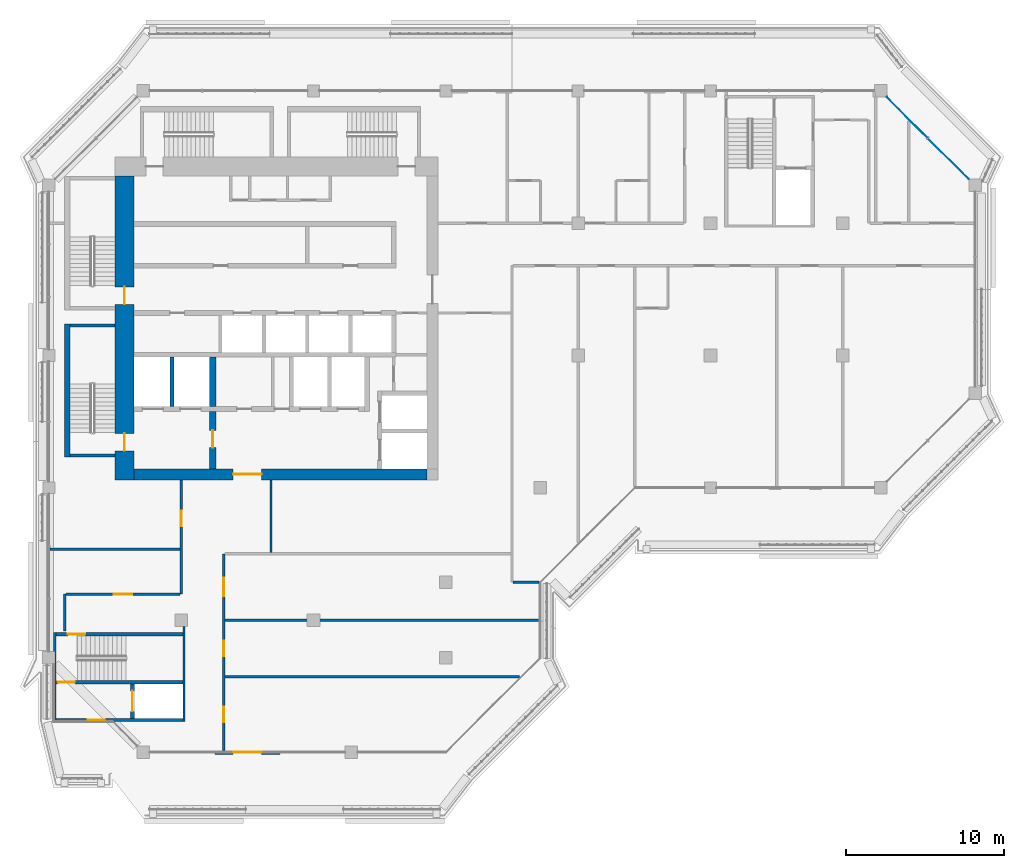
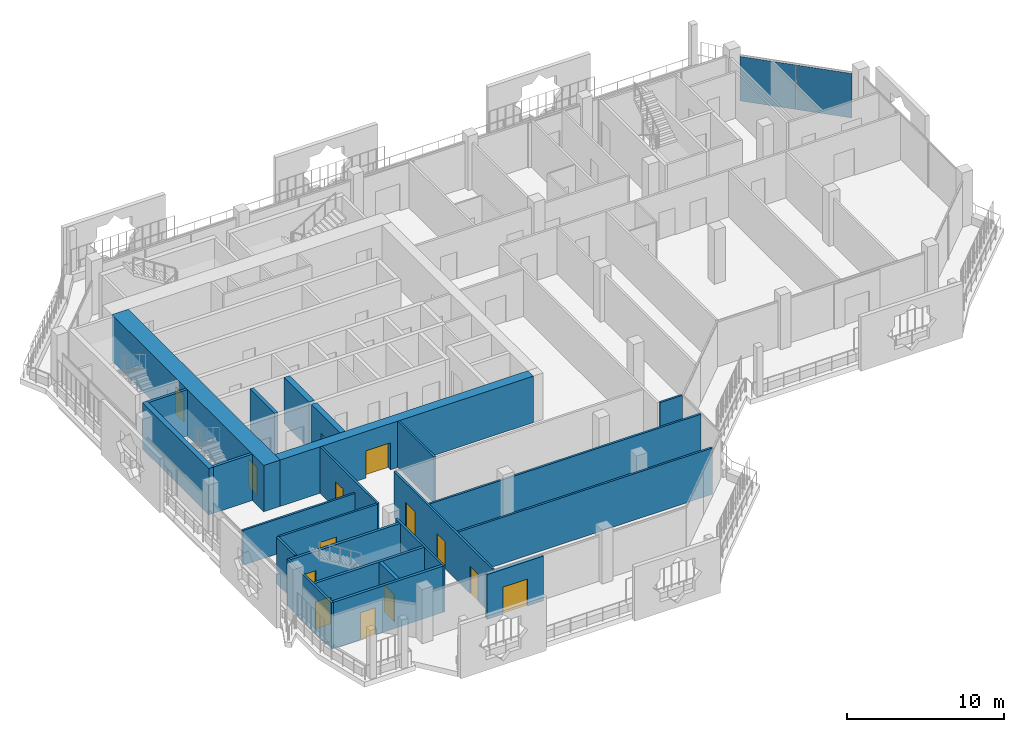
# One storey, part 10 of 21: 24 walls, 14 doors, 2 plates, 14 openings, 1 element without a shape of its own.
"""IFC4 building model written with IfcOpenShell, lengths in metres."""

from ifc_helpers import new_model, si_unit, direction, frame, frame_2d, origin, origin_2d, place, context, subcontext, project, spatial, rectangle, extrude, material, layer, layer_set, type_object, element, fill, aggregate, save


model = new_model("IFC4")

# Units and contexts
model_context = context("Model", 3, precision=1e-05, world=origin(), true_north=direction((0.0, 1.0)))
body_context = subcontext(model_context, "Body", "Model", "MODEL_VIEW")
ifc_project = project(units=[si_unit("LENGTHUNIT", "METRE"), si_unit("AREAUNIT", "SQUARE_METRE"), si_unit("VOLUMEUNIT", "CUBIC_METRE"), si_unit("PLANEANGLEUNIT", "RADIAN"), si_unit("MASSUNIT", "GRAM", prefix="KILO")], contexts=[model_context])

# Site, building, storey
site_placement = place(None, origin())
site = spatial("IfcSite", under=ifc_project, at=site_placement, CompositionType="ELEMENT")
building_placement = place(site_placement, origin())
building = spatial("IfcBuilding", under=site, at=building_placement, Name="Kawkab Arch Medical Tower", CompositionType="ELEMENT")
storey_placement = place(building_placement, frame((0.0, 0.0, 307.0)))
storey = spatial("IfcBuildingStorey", under=building, at=storey_placement, Name="L71", CompositionType="ELEMENT", Elevation=307.0)

# Curtain wall, plates
ifc_material_1 = material(Name="Bronze anodised aluminium curtain wall frame", Category="aluminium")
ifc_layer_1 = layer(ifc_material_1, 0.159912109375)
ifc_layer_set_1 = layer_set([ifc_layer_1], Name="Bronze anodised aluminium curtain wall frame")
curtain_wall_type = type_object("IfcCurtainWallType", Name="CW2 chamfer curtain wall", PredefinedType="NOTDEFINED", material=ifc_layer_set_1)
curtain_wall_placement = place(storey_placement, origin())
curtain_wall = element("IfcCurtainWall", 1, at=curtain_wall_placement, inside=storey, type_object=curtain_wall_type, Name="CW2 Chamfer curtain wall R14", PredefinedType="NOTDEFINED")
ifc_material_2 = material(Name="Tinted insulating glass, bronze low-e coating", Category="glass")
ifc_layer_2 = layer(ifc_material_2, 0.031982421875)
ifc_layer_set_2 = layer_set([ifc_layer_2], Name="Tinted insulating glass, bronze low-e coating")
plate_type = type_object("IfcPlateType", Name="CW2 glazing unit 32", PredefinedType="CURTAIN_PANEL", material=ifc_layer_set_2)
plate_1_placement = place(storey_placement, frame((57.110595703125, -4.310546875, 0.0), z_axis=(0.0, 0.0, 1.0), x_axis=(-0.707106781187, 0.707106781187, 0.0)))
plate_1 = element("IfcPlate", 2, at=plate_1_placement, type_object=plate_type, Name="CW2 glazing unit 1.1", PredefinedType="CURTAIN_PANEL", context=body_context, shape_type="SweptSolid", body=[
    extrude(rectangle(XDim=3.64697265625, YDim=0.031982421875, at=origin_2d()), origin(), (0.0, 0.0, 1.0), 3.4599609375),
])
plate_2_placement = place(storey_placement, frame((54.489501953125, -1.689453125, 0.0), z_axis=(0.0, 0.0, 1.0), x_axis=(-0.707106781187, 0.707106781187, 0.0)))
plate_2 = element("IfcPlate", 3, at=plate_2_placement, type_object=plate_type, Name="CW2 glazing unit 1.2", PredefinedType="CURTAIN_PANEL", context=body_context, shape_type="SweptSolid", body=[
    extrude(rectangle(XDim=3.64697265625, YDim=0.031982421875, at=origin_2d()), origin(), (0.0, 0.0, 1.0), 3.4599609375),
])
aggregate(curtain_wall, [plate_1, plate_2])

# Wall, openings, doors
ifc_material_3 = material(Name="Concrete C50/60", Category="concrete")
ifc_layer_3 = layer(ifc_material_3, 1.199951171875)
ifc_layer_set_3 = layer_set([ifc_layer_3], Name="Concrete C50/60")
wall_type_1 = type_object("IfcWallType", Name="Core ring wall 1200 C50/60", PredefinedType="SHEAR", material=ifc_layer_set_3)
wall_1_placement = place(storey_placement, frame((4.800048828125, -24.699951171875, 0.0), z_axis=(0.0, 0.0, 1.0), x_axis=(0.0, 1.0, 0.0)))
wall_1 = element("IfcWall", 4, at=wall_1_placement, inside=storey, type_object=wall_type_1, Name="L71 core wall", PredefinedType="SHEAR", context=body_context, shape_type="SweptSolid", body=[
    extrude(rectangle(XDim=19.300048828125, YDim=1.199951171875, at=frame_2d((9.64990234375, 0.0))), origin(), (0.0, 0.0, 1.0), 3.60009765625),
])
opening_1_placement = place(wall_1_placement, frame((11.14990234375, 0.0, 0.0)))
opening_1 = element("IfcOpeningElement", 5, at=opening_1_placement, cuts=wall_1, Name="Opening SD", PredefinedType="OPENING", context=body_context, shape_type="SweptSolid", body=[
    extrude(rectangle(XDim=1.10009765625, YDim=2.10009765625, at=frame_2d((0.550048828125, 1.050048828125))), frame((0.0, 0.60986328125, 0.0), z_axis=(0.0, -1.0, 0.0), x_axis=(1.0, 0.0, 0.0)), (0.0, 0.0, 1.0), 1.219970703125),
])
opening_2_placement = place(wall_1_placement, frame((1.85009765625, 0.0, 0.0)))
opening_2 = element("IfcOpeningElement", 6, at=opening_2_placement, cuts=wall_1, Name="Opening SD", PredefinedType="OPENING", context=body_context, shape_type="SweptSolid", body=[
    extrude(rectangle(XDim=1.10009765625, YDim=2.10009765625, at=frame_2d((0.550048828125, 1.050048828125))), frame((0.0, 0.60986328125, 0.0), z_axis=(0.0, -1.0, 0.0), x_axis=(1.0, 0.0, 0.0)), (0.0, 0.0, 1.0), 1.219970703125),
])
ifc_material_4 = material(Name="Hollow metal fire door leaf")
door_type_1 = type_object("IfcDoorType", Name="Exit stair door 1100", OperationType="SINGLE_SWING_LEFT", PredefinedType="DOOR", material=ifc_material_4)
door_1_placement = place(opening_1_placement, origin())
door_1 = element("IfcDoor", 7, at=door_1_placement, inside=storey, type_object=door_type_1, Name="L71 Exit stair ST1 door", OperationType="SINGLE_SWING_LEFT", OverallHeight=2.10009765625, OverallWidth=1.10009765625, PredefinedType="DOOR", context=body_context, shape_type="SweptSolid", body=[
    extrude(rectangle(XDim=1.10009765625, YDim=2.10009765625, at=frame_2d((0.550048828125, 1.050048828125))), frame((0.0, 0.02490234375, 0.0), z_axis=(0.0, -1.0, 0.0), x_axis=(1.0, 0.0, 0.0)), (0.0, 0.0, 1.0), 0.050048828125),
])
fill(opening_1, door_1)
door_2_placement = place(opening_2_placement, origin())
door_2 = element("IfcDoor", 8, at=door_2_placement, inside=storey, type_object=door_type_1, Name="L71 Exit stair ST2 door", OperationType="SINGLE_SWING_LEFT", OverallHeight=2.10009765625, OverallWidth=1.10009765625, PredefinedType="DOOR", context=body_context, shape_type="SweptSolid", body=[
    extrude(rectangle(XDim=1.10009765625, YDim=2.10009765625, at=frame_2d((0.550048828125, 1.050048828125))), frame((0.0, 0.02490234375, 0.0), z_axis=(0.0, -1.0, 0.0), x_axis=(1.0, 0.0, 0.0)), (0.0, 0.0, 1.0), 0.050048828125),
])
fill(opening_2, door_2)

# Wall, opening, door
ifc_material_5 = material(Name="Concrete C50/60", Category="concrete")
ifc_layer_4 = layer(ifc_material_5, 0.699951171875)
ifc_layer_set_4 = layer_set([ifc_layer_4], Name="Concrete C50/60")
wall_type_2 = type_object("IfcWallType", Name="Core ring wall 700 C50/60", PredefinedType="SHEAR", material=ifc_layer_set_4)
wall_2_placement = place(storey_placement, frame((5.39990234375, -24.35009765625, 0.0), z_axis=(0.0, 0.0, 1.0), x_axis=(1.0, 0.0, 0.0)))
wall_2 = element("IfcWall", 9, at=wall_2_placement, inside=storey, type_object=wall_type_2, Name="L71 core wall", PredefinedType="SHEAR", context=body_context, shape_type="SweptSolid", body=[
    extrude(rectangle(XDim=18.60009765625, YDim=0.699951171875, at=frame_2d((9.300048828125, 0.0))), origin(), (0.0, 0.0, 1.0), 3.60009765625),
])
opening_3_placement = place(wall_2_placement, frame((6.300048828125, 0.0, 0.0)))
opening_3 = element("IfcOpeningElement", 10, at=opening_3_placement, cuts=wall_2, Name="Opening PD", PredefinedType="OPENING", context=body_context, shape_type="SweptSolid", body=[
    extrude(rectangle(XDim=1.800048828125, YDim=2.10009765625, at=frame_2d((0.89990234375, 1.050048828125))), frame((0.0, 0.35986328125, 0.0), z_axis=(0.0, -1.0, 0.0), x_axis=(1.0, 0.0, 0.0)), (0.0, 0.0, 1.0), 0.719970703125),
])
ifc_material_6 = material(Name="Hollow metal fire door leaf")
door_type_2 = type_object("IfcDoorType", Name="Core entrance doors 1800", OperationType="DOUBLE_DOOR_SINGLE_SWING", PredefinedType="DOOR", material=ifc_material_6)
door_3_placement = place(opening_3_placement, origin())
door_3 = element("IfcDoor", 11, at=door_3_placement, inside=storey, type_object=door_type_2, Name="L71 South entrance doors", OperationType="DOUBLE_DOOR_SINGLE_SWING", OverallHeight=2.10009765625, OverallWidth=1.800048828125, PredefinedType="DOOR", context=body_context, shape_type="SweptSolid", body=[
    extrude(rectangle(XDim=1.800048828125, YDim=2.10009765625, at=frame_2d((0.89990234375, 1.050048828125))), frame((0.0, 0.02490234375, 0.0), z_axis=(0.0, -1.0, 0.0), x_axis=(1.0, 0.0, 0.0)), (0.0, 0.0, 1.0), 0.050048828125),
])
fill(opening_3, door_3)

# Wall
ifc_material_7 = material(Name="Concrete C60/75", Category="concrete")
ifc_layer_5 = layer(ifc_material_7, 0.25)
ifc_layer_set_5 = layer_set([ifc_layer_5], Name="Concrete C60/75")
wall_type_3 = type_object("IfcWallType", Name="Core shear wall 250 C60/75", PredefinedType="SHEAR", material=ifc_layer_set_5)
wall_3_placement = place(storey_placement, frame((7.800048828125, -20.050048828125, 0.0), z_axis=(0.0, 0.0, 1.0), x_axis=(0.0, 1.0, 0.0)))
element("IfcWall", 12, at=wall_3_placement, inside=storey, type_object=wall_type_3, Name="L71 core shear wall", PredefinedType="SHEAR", context=body_context, shape_type="SweptSolid", body=[
    extrude(rectangle(XDim=3.150146484375, YDim=0.25, at=frame_2d((1.5751953125, 0.0))), origin(), (0.0, 0.0, 1.0), 3.60009765625),
])

# Wall, opening, door
wall_4_placement = place(storey_placement, frame((5.300048828125, -39.85009765625, 0.0), z_axis=(0.0, 0.0, 1.0), x_axis=(0.0, 1.0, 0.0)))
wall_4 = element("IfcWall", 13, at=wall_4_placement, inside=storey, type_object=wall_type_3, Name="L71 core shear wall", PredefinedType="SHEAR", context=body_context, shape_type="SweptSolid", body=[
    extrude(rectangle(XDim=2.2001953125, YDim=0.25, at=frame_2d((1.10009765625, 0.0))), origin(), (0.0, 0.0, 1.0), 3.60009765625),
])
opening_4_placement = place(wall_4_placement, frame((0.449951171875, 0.0, 0.0)))
opening_4 = element("IfcOpeningElement", 14, at=opening_4_placement, cuts=wall_4, Name="Opening LD2", PredefinedType="OPENING", context=body_context, shape_type="SweptSolid", body=[
    extrude(rectangle(XDim=1.300048828125, YDim=2.10009765625, at=frame_2d((0.64990234375, 1.050048828125))), frame((0.0, 0.135009765625, 0.0), z_axis=(0.0, -1.0, 0.0), x_axis=(1.0, 0.0, 0.0)), (0.0, 0.0, 1.0), 0.27001953125),
])
ifc_material_8 = material(Name="Stainless steel lift door leaf", Category="steel")
door_type_3 = type_object("IfcDoorType", Name="Lift landing door 1300", OperationType="DOUBLE_DOOR_SLIDING", PredefinedType="DOOR", material=ifc_material_8)
door_4_placement = place(opening_4_placement, origin())
door_4 = element("IfcDoor", 15, at=door_4_placement, inside=storey, type_object=door_type_3, Name="L71 Lift landing door SV2", OperationType="DOUBLE_DOOR_SLIDING", OverallHeight=2.10009765625, OverallWidth=1.300048828125, PredefinedType="DOOR", context=body_context, shape_type="SweptSolid", body=[
    extrude(rectangle(XDim=1.300048828125, YDim=2.10009765625, at=frame_2d((0.64990234375, 1.050048828125))), frame((0.0, 0.02490234375, 0.0), z_axis=(0.0, -1.0, 0.0), x_axis=(1.0, 0.0, 0.0)), (0.0, 0.0, 1.0), 0.050048828125),
])
fill(opening_4, door_4)

ifc_material_9 = material(Name="Concrete C60/75", Category="concrete")
ifc_layer_6 = layer(ifc_material_9, 0.39990234375)
ifc_layer_set_6 = layer_set([ifc_layer_6], Name="Concrete C60/75")
wall_type_4 = type_object("IfcWallType", Name="Core shear wall 400 C60/75", PredefinedType="SHEAR", material=ifc_layer_set_6)
wall_5_placement = place(storey_placement, frame((10.39990234375, -24.0, 0.0), z_axis=(0.0, 0.0, 1.0), x_axis=(0.0, 1.0, 0.0)))
wall_5 = element("IfcWall", 16, at=wall_5_placement, inside=storey, type_object=wall_type_4, Name="L71 core shear wall", PredefinedType="SHEAR", context=body_context, shape_type="SweptSolid", body=[
    extrude(rectangle(XDim=3.64990234375, YDim=0.39990234375, at=frame_2d((1.824951171875, 0.0))), origin(), (0.0, 0.0, 1.0), 3.60009765625),
])
opening_5_placement = place(wall_5_placement, frame((1.35009765625, 0.0, 0.0)))
opening_5 = element("IfcOpeningElement", 17, at=opening_5_placement, cuts=wall_5, Name="Opening FD", PredefinedType="OPENING", context=body_context, shape_type="SweptSolid", body=[
    extrude(rectangle(XDim=1.10009765625, YDim=2.10009765625, at=frame_2d((0.550048828125, 1.050048828125))), frame((0.0, 0.2099609375, 0.0), z_axis=(0.0, -1.0, 0.0), x_axis=(1.0, 0.0, 0.0)), (0.0, 0.0, 1.0), 0.419921875),
])
ifc_material_10 = material(Name="Hollow metal fire door leaf")
door_type_4 = type_object("IfcDoorType", Name="Firefighting lobby door 1100", OperationType="SINGLE_SWING_LEFT", PredefinedType="DOOR", material=ifc_material_10)
door_5_placement = place(opening_5_placement, origin())
door_5 = element("IfcDoor", 18, at=door_5_placement, inside=storey, type_object=door_type_4, Name="L71 Firefighting lobby door", OperationType="SINGLE_SWING_LEFT", OverallHeight=2.10009765625, OverallWidth=1.10009765625, PredefinedType="DOOR", context=body_context, shape_type="SweptSolid", body=[
    extrude(rectangle(XDim=1.10009765625, YDim=2.10009765625, at=frame_2d((0.550048828125, 1.050048828125))), frame((0.0, 0.02490234375, 0.0), z_axis=(0.0, -1.0, 0.0), x_axis=(1.0, 0.0, 0.0)), (0.0, 0.0, 1.0), 0.050048828125),
])
fill(opening_5, door_5)

# Wall
wall_6_placement = place(storey_placement, frame((10.39990234375, -20.050048828125, 0.0), z_axis=(0.0, 0.0, 1.0), x_axis=(0.0, 1.0, 0.0)))
element("IfcWall", 19, at=wall_6_placement, inside=storey, type_object=wall_type_4, Name="L71 core shear wall", PredefinedType="SHEAR", context=body_context, shape_type="SweptSolid", body=[
    extrude(rectangle(XDim=3.150146484375, YDim=0.39990234375, at=frame_2d((1.5751953125, 0.0))), origin(), (0.0, 0.0, 1.0), 3.60009765625),
])

# Wall, opening, door
ifc_material_11 = material(Name="Bronze clad insulated wall panel")
ifc_layer_7 = layer(ifc_material_11, 0.25)
ifc_layer_set_7 = layer_set([ifc_layer_7], Name="Bronze clad insulated wall panel")
wall_type_5 = type_object("IfcWallType", Name="External wall bay 250", PredefinedType="SOLIDWALL", material=ifc_layer_set_7)
wall_7_placement = place(storey_placement, frame((10.533447265625, -42.0, 0.0), z_axis=(0.0, 0.0, 1.0), x_axis=(1.0, 0.0, 0.0)))
wall_7 = element("IfcWall", 20, at=wall_7_placement, inside=storey, type_object=wall_type_5, Name="External wall bay L71.R07.1.2", PredefinedType="SOLIDWALL", context=body_context, shape_type="SweptSolid", body=[
    extrude(rectangle(XDim=4.13330078125, YDim=0.25, at=frame_2d((2.066650390625, 0.0))), origin(), (0.0, 0.0, 1.0), 3.47998046875),
])
opening_6_placement = place(wall_7_placement, frame((1.166748046875, 0.0, 0.0)))
opening_6 = element("IfcOpeningElement", 21, at=opening_6_placement, cuts=wall_7, Name="Opening W71-701", PredefinedType="OPENING", context=body_context, shape_type="SweptSolid", body=[
    extrude(rectangle(XDim=1.800048828125, YDim=2.10009765625, at=frame_2d((0.89990234375, 1.050048828125))), frame((0.0, 0.135009765625, 0.0), z_axis=(0.0, -1.0, 0.0), x_axis=(1.0, 0.0, 0.0)), (0.0, 0.0, 1.0), 0.27001953125),
])
ifc_material_12 = material(Name="Bronze anodised aluminium door with tinted glass", Category="aluminium")
door_type_5 = type_object("IfcDoorType", Name="Double external door 1800 x 2100", OperationType="DOUBLE_DOOR_SINGLE_SWING", PredefinedType="DOOR", material=ifc_material_12)
door_6_placement = place(opening_6_placement, origin())
door_6 = element("IfcDoor", 22, at=door_6_placement, inside=storey, type_object=door_type_5, Name="External door L71.R07.1.2", OperationType="DOUBLE_DOOR_SINGLE_SWING", OverallHeight=2.10009765625, OverallWidth=1.800048828125, PredefinedType="DOOR", context=body_context, shape_type="SweptSolid", body=[
    extrude(rectangle(XDim=1.800048828125, YDim=2.10009765625, at=frame_2d((0.89990234375, 1.050048828125))), frame((0.0, 0.02490234375, 0.0), z_axis=(0.0, -1.0, 0.0), x_axis=(1.0, 0.0, 0.0)), (0.0, 0.0, 1.0), 0.050048828125),
])
fill(opening_6, door_6)

# Walls
ifc_material_13 = material(Name="Gypsum board partition on steel studs, mineral wool", Category="steel")
ifc_layer_8 = layer(ifc_material_13, 0.14990234375)
ifc_layer_set_8 = layer_set([ifc_layer_8], Name="Gypsum board partition on steel studs, mineral wool")
wall_type_6 = type_object("IfcWallType", Name="Partition 150", PredefinedType="PARTITIONING", material=ifc_layer_set_8)
wall_8_placement = place(storey_placement, frame((11.175048828125, -37.199951171875, 0.0), z_axis=(0.0, 0.0, 1.0), x_axis=(1.0, 0.0, 0.0)))
element("IfcWall", 23, at=wall_8_placement, inside=storey, type_object=wall_type_6, Name="Partition 150 w007", PredefinedType="PARTITIONING", context=body_context, shape_type="SweptSolid", body=[
    extrude(rectangle(XDim=18.7119140625, YDim=0.14990234375, at=frame_2d((9.35595703125, 0.0))), origin(), (0.0, 0.0, 1.0), 3.60009765625),
])
wall_9_placement = place(storey_placement, frame((11.175048828125, -33.60009765625, 0.0), z_axis=(0.0, 0.0, 1.0), x_axis=(1.0, 0.0, 0.0)))
element("IfcWall", 24, at=wall_9_placement, inside=storey, type_object=wall_type_6, Name="Partition 150 w008", PredefinedType="PARTITIONING", context=body_context, shape_type="SweptSolid", body=[
    extrude(rectangle(XDim=19.945068359375, YDim=0.14990234375, at=frame_2d((9.97265625, 0.0))), origin(), (0.0, 0.0, 1.0), 3.60009765625),
])

# Wall, opening, door
wall_10_placement = place(storey_placement, frame((1.075927734375, -31.95703125, 0.0), z_axis=(0.0, 0.0, 1.0), x_axis=(1.0, 0.0, 0.0)))
wall_10 = element("IfcWall", 25, at=wall_10_placement, inside=storey, type_object=wall_type_6, Name="Partition 150 w009", PredefinedType="PARTITIONING", context=body_context, shape_type="SweptSolid", body=[
    extrude(rectangle(XDim=7.2490234375, YDim=0.14990234375, at=frame_2d((3.62451171875, 0.0))), origin(), (0.0, 0.0, 1.0), 3.60009765625),
])
opening_7_placement = place(wall_10_placement, frame((3.02490234375, 0.0, 0.0)))
opening_7 = element("IfcOpeningElement", 26, at=opening_7_placement, cuts=wall_10, Name="Opening W71-021", PredefinedType="OPENING", context=body_context, shape_type="SweptSolid", body=[
    extrude(rectangle(XDim=1.199951171875, YDim=2.10009765625, at=frame_2d((0.60009765625, 1.050048828125))), frame((0.0, 0.0849609375, 0.0), z_axis=(0.0, -1.0, 0.0), x_axis=(1.0, 0.0, 0.0)), (0.0, 0.0, 1.0), 0.169921875),
])
ifc_material_14 = material(Name="Hollow metal door leaf")
door_type_6 = type_object("IfcDoorType", Name="Single door 1200x2100 FD30S", OperationType="NOTDEFINED", PredefinedType="DOOR", material=ifc_material_14)
door_7_placement = place(opening_7_placement, origin())
door_7 = element("IfcDoor", 27, at=door_7_placement, inside=storey, type_object=door_type_6, Name="Door W71-021", OperationType="SINGLE_SWING_RIGHT", OverallHeight=2.10009765625, OverallWidth=1.199951171875, PredefinedType="DOOR", context=body_context, shape_type="SweptSolid", body=[
    extrude(rectangle(XDim=1.199951171875, YDim=2.10009765625, at=frame_2d((0.60009765625, 1.050048828125))), frame((0.0, 0.02490234375, 0.0), z_axis=(0.0, -1.0, 0.0), x_axis=(1.0, 0.0, 0.0)), (0.0, 0.0, 1.0), 0.050048828125),
])
fill(opening_7, door_7)

# Walls
wall_11_placement = place(storey_placement, frame((29.47705078125, -31.199951171875, 0.0), z_axis=(0.0, 0.0, 1.0), x_axis=(1.0, 0.0, 0.0)))
element("IfcWall", 28, at=wall_11_placement, inside=storey, type_object=wall_type_6, Name="Partition 150 w010", PredefinedType="PARTITIONING", context=body_context, shape_type="SweptSolid", body=[
    extrude(rectangle(XDim=1.64306640625, YDim=0.14990234375, at=frame_2d((0.821533203125, 0.0))), origin(), (0.0, 0.0, 1.0), 3.60009765625),
])
wall_12_placement = place(storey_placement, frame((0.080078125, -29.10009765625, 0.0), z_axis=(0.0, 0.0, 1.0), x_axis=(1.0, 0.0, 0.0)))
element("IfcWall", 29, at=wall_12_placement, inside=storey, type_object=wall_type_6, Name="Partition 150 w012", PredefinedType="PARTITIONING", context=body_context, shape_type="SweptSolid", body=[
    extrude(rectangle(XDim=8.244873046875, YDim=0.14990234375, at=frame_2d((4.12255859375, 0.0))), origin(), (0.0, 0.0, 1.0), 2.699951171875),
])
wall_13_placement = place(storey_placement, frame((1.0, -34.285888671875, 0.0), z_axis=(0.0, 0.0, 1.0), x_axis=(0.0, 1.0, 0.0)))
element("IfcWall", 30, at=wall_13_placement, inside=storey, type_object=wall_type_6, Name="Partition 150 w019", PredefinedType="PARTITIONING", context=body_context, shape_type="SweptSolid", body=[
    extrude(rectangle(XDim=2.326904296875, YDim=0.14990234375, at=frame_2d((1.16357421875, 0.0))), origin(), (0.0, 0.0, 1.0), 3.60009765625),
])

# Wall, opening, door
wall_14_placement = place(storey_placement, frame((8.39990234375, -31.95703125, 0.0), z_axis=(0.0, 0.0, 1.0), x_axis=(0.0, 1.0, 0.0)))
wall_14 = element("IfcWall", 31, at=wall_14_placement, inside=storey, type_object=wall_type_6, Name="Partition 150 w020", PredefinedType="PARTITIONING", context=body_context, shape_type="SweptSolid", body=[
    extrude(rectangle(XDim=7.257080078125, YDim=0.14990234375, at=frame_2d((3.62841796875, 0.0))), origin(), (0.0, 0.0, 1.0), 3.60009765625),
])
opening_8_placement = place(wall_14_placement, frame((4.306884765625, 0.0, 0.0)))
opening_8 = element("IfcOpeningElement", 32, at=opening_8_placement, cuts=wall_14, Name="Opening W71-012", PredefinedType="OPENING", context=body_context, shape_type="SweptSolid", body=[
    extrude(rectangle(XDim=1.0, YDim=2.10009765625, at=frame_2d((0.5, 1.050048828125))), frame((0.0, 0.0849609375, 0.0), z_axis=(0.0, -1.0, 0.0), x_axis=(1.0, 0.0, 0.0)), (0.0, 0.0, 1.0), 0.169921875),
])
ifc_material_15 = material(Name="Hollow metal door leaf")
door_type_7 = type_object("IfcDoorType", Name="Single door 1000x2100 FD30S", OperationType="NOTDEFINED", PredefinedType="DOOR", material=ifc_material_15)
door_8_placement = place(opening_8_placement, origin())
door_8 = element("IfcDoor", 33, at=door_8_placement, inside=storey, type_object=door_type_7, Name="Door W71-012", OperationType="SINGLE_SWING_RIGHT", OverallHeight=2.10009765625, OverallWidth=1.0, PredefinedType="DOOR", context=body_context, shape_type="SweptSolid", body=[
    extrude(rectangle(XDim=1.0, YDim=2.10009765625, at=frame_2d((0.5, 1.050048828125))), frame((0.0, 0.02490234375, 0.0), z_axis=(0.0, -1.0, 0.0), x_axis=(1.0, 0.0, 0.0)), (0.0, 0.0, 1.0), 0.050048828125),
])
fill(opening_8, door_8)

# Wall, openings, doors
wall_15_placement = place(storey_placement, frame((11.10009765625, -41.919921875, 0.0), z_axis=(0.0, 0.0, 1.0), x_axis=(0.0, 1.0, 0.0)))
wall_15 = element("IfcWall", 34, at=wall_15_placement, inside=storey, type_object=wall_type_6, Name="Partition 150 w021", PredefinedType="PARTITIONING", context=body_context, shape_type="SweptSolid", body=[
    extrude(rectangle(XDim=12.52001953125, YDim=0.14990234375, at=frame_2d((6.260009765625, 0.0))), origin(), (0.0, 0.0, 1.0), 3.60009765625),
])
opening_9_placement = place(wall_15_placement, frame((9.820068359375, 0.0, 0.0)))
opening_9 = element("IfcOpeningElement", 35, at=opening_9_placement, cuts=wall_15, Name="Opening W71-022", PredefinedType="OPENING", context=body_context, shape_type="SweptSolid", body=[
    extrude(rectangle(XDim=1.199951171875, YDim=2.10009765625, at=frame_2d((0.60009765625, 1.050048828125))), frame((0.0, 0.0849609375, 0.0), z_axis=(0.0, -1.0, 0.0), x_axis=(1.0, 0.0, 0.0)), (0.0, 0.0, 1.0), 0.169921875),
])
opening_10_placement = place(wall_15_placement, frame((6.02001953125, 0.0, 0.0)))
opening_10 = element("IfcOpeningElement", 36, at=opening_10_placement, cuts=wall_15, Name="Opening W71-013", PredefinedType="OPENING", context=body_context, shape_type="SweptSolid", body=[
    extrude(rectangle(XDim=1.0, YDim=2.10009765625, at=frame_2d((0.5, 1.050048828125))), frame((0.0, 0.0849609375, 0.0), z_axis=(0.0, -1.0, 0.0), x_axis=(1.0, 0.0, 0.0)), (0.0, 0.0, 1.0), 0.169921875),
])
opening_11_placement = place(wall_15_placement, frame((1.820068359375, 0.0, 0.0)))
opening_11 = element("IfcOpeningElement", 37, at=opening_11_placement, cuts=wall_15, Name="Opening W71-014", PredefinedType="OPENING", context=body_context, shape_type="SweptSolid", body=[
    extrude(rectangle(XDim=1.0, YDim=2.10009765625, at=frame_2d((0.5, 1.050048828125))), frame((0.0, 0.0849609375, 0.0), z_axis=(0.0, -1.0, 0.0), x_axis=(1.0, 0.0, 0.0)), (0.0, 0.0, 1.0), 0.169921875),
])
door_9_placement = place(opening_10_placement, origin())
door_9 = element("IfcDoor", 38, at=door_9_placement, inside=storey, type_object=door_type_7, Name="Door W71-013", OperationType="SINGLE_SWING_LEFT", OverallHeight=2.10009765625, OverallWidth=1.0, PredefinedType="DOOR", context=body_context, shape_type="SweptSolid", body=[
    extrude(rectangle(XDim=1.0, YDim=2.10009765625, at=frame_2d((0.5, 1.050048828125))), frame((0.0, 0.02490234375, 0.0), z_axis=(0.0, -1.0, 0.0), x_axis=(1.0, 0.0, 0.0)), (0.0, 0.0, 1.0), 0.050048828125),
])
fill(opening_10, door_9)
door_10_placement = place(opening_11_placement, origin())
door_10 = element("IfcDoor", 39, at=door_10_placement, inside=storey, type_object=door_type_7, Name="Door W71-014", OperationType="SINGLE_SWING_RIGHT", OverallHeight=2.10009765625, OverallWidth=1.0, PredefinedType="DOOR", context=body_context, shape_type="SweptSolid", body=[
    extrude(rectangle(XDim=1.0, YDim=2.10009765625, at=frame_2d((0.5, 1.050048828125))), frame((0.0, 0.02490234375, 0.0), z_axis=(0.0, -1.0, 0.0), x_axis=(1.0, 0.0, 0.0)), (0.0, 0.0, 1.0), 0.050048828125),
])
fill(opening_11, door_10)
door_11_placement = place(opening_9_placement, origin())
door_11 = element("IfcDoor", 40, at=door_11_placement, inside=storey, type_object=door_type_6, Name="Door W71-022", OperationType="SINGLE_SWING_LEFT", OverallHeight=2.10009765625, OverallWidth=1.199951171875, PredefinedType="DOOR", context=body_context, shape_type="SweptSolid", body=[
    extrude(rectangle(XDim=1.199951171875, YDim=2.10009765625, at=frame_2d((0.60009765625, 1.050048828125))), frame((0.0, 0.02490234375, 0.0), z_axis=(0.0, -1.0, 0.0), x_axis=(1.0, 0.0, 0.0)), (0.0, 0.0, 1.0), 0.050048828125),
])
fill(opening_9, door_11)

# Walls
wall_16_placement = place(storey_placement, frame((14.10009765625, -29.324951171875, 0.0), z_axis=(0.0, 0.0, 1.0), x_axis=(0.0, 1.0, 0.0)))
element("IfcWall", 41, at=wall_16_placement, inside=storey, type_object=wall_type_6, Name="Partition 150 w022", PredefinedType="PARTITIONING", context=body_context, shape_type="SweptSolid", body=[
    extrude(rectangle(XDim=4.625, YDim=0.14990234375, at=frame_2d((2.3125, 0.0))), origin(), (0.0, 0.0, 1.0), 3.60009765625),
])
ifc_material_16 = material(Name="Concrete C50/60", Category="concrete")
ifc_layer_9 = layer(ifc_material_16, 0.14990234375)
ifc_layer_set_9 = layer_set([ifc_layer_9], Name="Concrete C50/60")
wall_type_7 = type_object("IfcWallType", Name="Stair enclosure wall 150 C50/60", PredefinedType="SHEAR", material=ifc_layer_set_9)
wall_17_placement = place(storey_placement, frame((0.375, -40.050048828125, 0.0), z_axis=(0.0, 0.0, 1.0), x_axis=(0.0, 1.0, 0.0)))
element("IfcWall", 42, at=wall_17_placement, inside=storey, type_object=wall_type_7, Name="L71 stair enclosure wall", PredefinedType="SHEAR", context=body_context, shape_type="SweptSolid", body=[
    extrude(rectangle(XDim=5.650146484375, YDim=0.14990234375, at=frame_2d((2.8251953125, 0.0))), origin(), (0.0, 0.0, 1.0), 3.60009765625),
])
wall_18_placement = place(storey_placement, frame((8.574951171875, -40.050048828125, 0.0), z_axis=(0.0, 0.0, 1.0), x_axis=(0.0, 1.0, 0.0)))
element("IfcWall", 43, at=wall_18_placement, inside=storey, type_object=wall_type_7, Name="L71 stair enclosure wall", PredefinedType="SHEAR", context=body_context, shape_type="SweptSolid", body=[
    extrude(rectangle(XDim=6.050048828125, YDim=0.14990234375, at=frame_2d((3.02490234375, 0.0))), origin(), (0.0, 0.0, 1.0), 3.60009765625),
])
ifc_material_17 = material(Name="Concrete C50/60", Category="concrete")
ifc_layer_10 = layer(ifc_material_17, 0.199951171875)
ifc_layer_set_10 = layer_set([ifc_layer_10], Name="Concrete C50/60")
wall_type_8 = type_object("IfcWallType", Name="Stair enclosure wall 200 C50/60", PredefinedType="SHEAR", material=ifc_layer_set_10)
for number, where, z_axis, x_axis, name in (
    (44, (1.35009765625, -14.89990234375, 0.0), (0.0, 0.0, 1.0), (1.0, 0.0, 0.0), "L71 stair enclosure wall"),
    (45, (1.35009765625, -23.14990234375, 0.0), (0.0, 0.0, 1.0), (1.0, 0.0, 0.0), "L71 stair enclosure wall"),
):
    element("IfcWall", number, at=place(storey_placement, frame(where, z_axis=z_axis, x_axis=x_axis)), inside=storey, type_object=wall_type_8, Name=name, PredefinedType="SHEAR", context=body_context, shape_type="SweptSolid", body=[
        extrude(rectangle(XDim=2.849853515625, YDim=0.199951171875, at=frame_2d((1.4248046875, 0.0))), origin(), (0.0, 0.0, 1.0), 3.60009765625),
    ])

# Wall, opening, door
wall_19_placement = place(storey_placement, frame((0.449951171875, -34.5, 0.0), z_axis=(0.0, 0.0, 1.0), x_axis=(1.0, 0.0, 0.0)))
wall_19 = element("IfcWall", 46, at=wall_19_placement, inside=storey, type_object=wall_type_8, Name="L71 stair enclosure wall", PredefinedType="SHEAR", context=body_context, shape_type="SweptSolid", body=[
    extrude(rectangle(XDim=8.050048828125, YDim=0.199951171875, at=frame_2d((4.02490234375, 0.0))), origin(), (0.0, 0.0, 1.0), 3.60009765625),
])
opening_12_placement = place(wall_19_placement, frame((0.75, 0.0, 0.0)))
opening_12 = element("IfcOpeningElement", 47, at=opening_12_placement, cuts=wall_19, Name="Opening SD", PredefinedType="OPENING", context=body_context, shape_type="SweptSolid", body=[
    extrude(rectangle(XDim=1.10009765625, YDim=2.10009765625, at=frame_2d((0.550048828125, 1.050048828125))), frame((0.0, 0.10986328125, 0.0), z_axis=(0.0, -1.0, 0.0), x_axis=(1.0, 0.0, 0.0)), (0.0, 0.0, 1.0), 0.219970703125),
])
door_12_placement = place(opening_12_placement, origin())
door_12 = element("IfcDoor", 48, at=door_12_placement, inside=storey, type_object=door_type_1, Name="L71 Exit stair ST6 door", OperationType="SINGLE_SWING_LEFT", OverallHeight=2.10009765625, OverallWidth=1.10009765625, PredefinedType="DOOR", context=body_context, shape_type="SweptSolid", body=[
    extrude(rectangle(XDim=1.10009765625, YDim=2.10009765625, at=frame_2d((0.550048828125, 1.050048828125))), frame((0.0, 0.02490234375, 0.0), z_axis=(0.0, -1.0, 0.0), x_axis=(1.0, 0.0, 0.0)), (0.0, 0.0, 1.0), 0.050048828125),
])
fill(opening_12, door_12)

wall_20_placement = place(storey_placement, frame((0.449951171875, -37.550048828125, 0.0), z_axis=(0.0, 0.0, 1.0), x_axis=(1.0, 0.0, 0.0)))
wall_20 = element("IfcWall", 49, at=wall_20_placement, inside=storey, type_object=wall_type_8, Name="L71 stair enclosure wall", PredefinedType="SHEAR", context=body_context, shape_type="SweptSolid", body=[
    extrude(rectangle(XDim=8.050048828125, YDim=0.199951171875, at=frame_2d((4.02490234375, 0.0))), origin(), (0.0, 0.0, 1.0), 3.60009765625),
])
opening_13_placement = place(wall_20_placement, frame((0.10009765625, 0.0, 0.0)))
opening_13 = element("IfcOpeningElement", 50, at=opening_13_placement, cuts=wall_20, Name="Opening SD", PredefinedType="OPENING", context=body_context, shape_type="SweptSolid", body=[
    extrude(rectangle(XDim=1.10009765625, YDim=2.10009765625, at=frame_2d((0.550048828125, 1.050048828125))), frame((0.0, 0.10986328125, 0.0), z_axis=(0.0, -1.0, 0.0), x_axis=(1.0, 0.0, 0.0)), (0.0, 0.0, 1.0), 0.219970703125),
])
door_13_placement = place(opening_13_placement, frame((1.10009765625, 0.0, 0.0), z_axis=(0.0, 0.0, 1.0), x_axis=(-1.0, 0.0, 0.0)))
door_13 = element("IfcDoor", 51, at=door_13_placement, inside=storey, type_object=door_type_1, Name="L71 Exit stair ST6 lobby door", OperationType="SINGLE_SWING_LEFT", OverallHeight=2.10009765625, OverallWidth=1.10009765625, PredefinedType="DOOR", context=body_context, shape_type="SweptSolid", body=[
    extrude(rectangle(XDim=1.10009765625, YDim=2.10009765625, at=frame_2d((0.550048828125, 1.050048828125))), frame((0.0, 0.02490234375, 0.0), z_axis=(0.0, -1.0, 0.0), x_axis=(1.0, 0.0, 0.0)), (0.0, 0.0, 1.0), 0.050048828125),
])
fill(opening_13, door_13)

wall_21_placement = place(storey_placement, frame((0.449951171875, -39.949951171875, 0.0), z_axis=(0.0, 0.0, 1.0), x_axis=(1.0, 0.0, 0.0)))
wall_21 = element("IfcWall", 52, at=wall_21_placement, inside=storey, type_object=wall_type_8, Name="L71 stair enclosure wall", PredefinedType="SHEAR", context=body_context, shape_type="SweptSolid", body=[
    extrude(rectangle(XDim=8.050048828125, YDim=0.199951171875, at=frame_2d((4.02490234375, 0.0))), origin(), (0.0, 0.0, 1.0), 3.60009765625),
])
opening_14_placement = place(wall_21_placement, frame((2.0, 0.0, 0.0)))
opening_14 = element("IfcOpeningElement", 53, at=opening_14_placement, cuts=wall_21, Name="Opening FD", PredefinedType="OPENING", context=body_context, shape_type="SweptSolid", body=[
    extrude(rectangle(XDim=1.10009765625, YDim=2.10009765625, at=frame_2d((0.550048828125, 1.050048828125))), frame((0.0, 0.10986328125, 0.0), z_axis=(0.0, -1.0, 0.0), x_axis=(1.0, 0.0, 0.0)), (0.0, 0.0, 1.0), 0.219970703125),
])
door_14_placement = place(opening_14_placement, origin())
door_14 = element("IfcDoor", 54, at=door_14_placement, inside=storey, type_object=door_type_4, Name="L71 Service lift lobby door SV2", OperationType="SINGLE_SWING_LEFT", OverallHeight=2.10009765625, OverallWidth=1.10009765625, PredefinedType="DOOR", context=body_context, shape_type="SweptSolid", body=[
    extrude(rectangle(XDim=1.10009765625, YDim=2.10009765625, at=frame_2d((0.550048828125, 1.050048828125))), frame((0.0, 0.02490234375, 0.0), z_axis=(0.0, -1.0, 0.0), x_axis=(1.0, 0.0, 0.0)), (0.0, 0.0, 1.0), 0.050048828125),
])
fill(opening_14, door_14)

# Wall
ifc_material_18 = material(Name="Concrete C50/60", Category="concrete")
ifc_layer_11 = layer(ifc_material_18, 0.35009765625)
ifc_layer_set_11 = layer_set([ifc_layer_11], Name="Concrete C50/60")
wall_type_9 = type_object("IfcWallType", Name="Stair enclosure wall 350 C50/60", PredefinedType="SHEAR", material=ifc_layer_set_11)
wall_22_placement = place(storey_placement, frame((1.175048828125, -23.25, 0.0), z_axis=(0.0, 0.0, 1.0), x_axis=(0.0, 1.0, 0.0)))
element("IfcWall", 55, at=wall_22_placement, inside=storey, type_object=wall_type_9, Name="L71 stair enclosure wall", PredefinedType="SHEAR", context=body_context, shape_type="SweptSolid", body=[
    extrude(rectangle(XDim=8.449951171875, YDim=0.35009765625, at=frame_2d((4.22509765625, 0.0))), origin(), (0.0, 0.0, 1.0), 3.60009765625),
])

save(model, "model.ifc")
